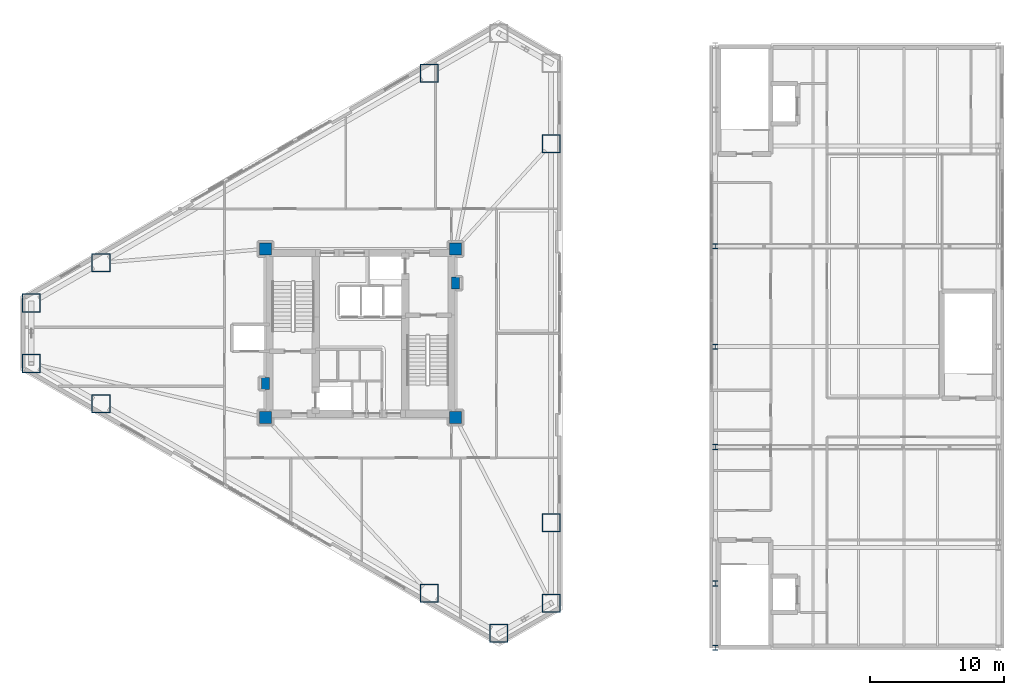
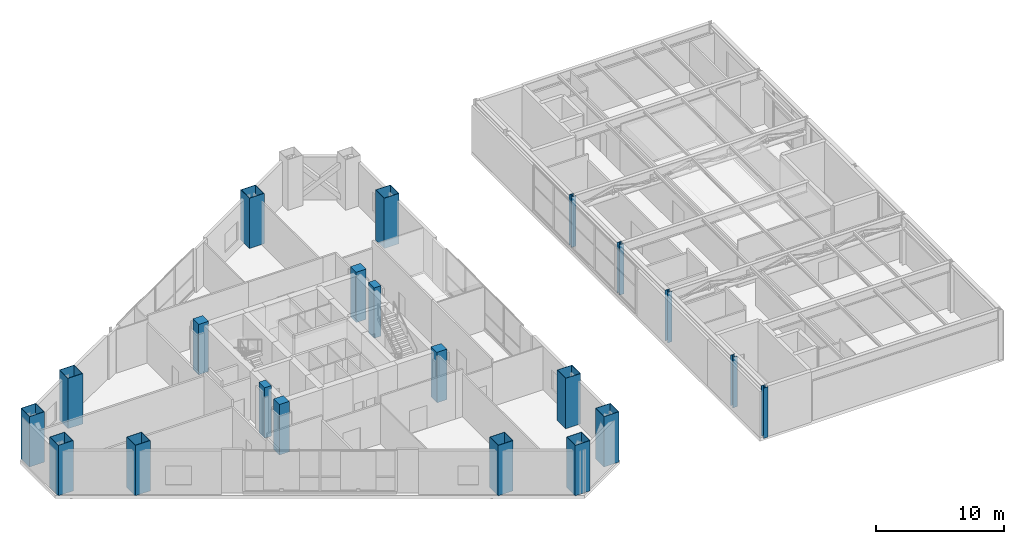
# One storey, part 1 of 27: 21 columns.
"""IFC4 building model written with IfcOpenShell, lengths in metres."""

from ifc_helpers import new_model, si_unit, direction, frame, origin, origin_2d, place, context, subcontext, project, spatial, rectangle, hollow_rectangle, i_section, extrude, material, material_profile, profile_set, type_object, element, save


model = new_model("IFC4")

# Units and contexts
model_context = context("Model", 3, precision=1e-05, world=origin(), true_north=direction((0.0, 1.0)))
body_context = subcontext(model_context, "Body", "Model", "MODEL_VIEW")
ifc_project = project(units=[si_unit("LENGTHUNIT", "METRE"), si_unit("AREAUNIT", "SQUARE_METRE"), si_unit("VOLUMEUNIT", "CUBIC_METRE"), si_unit("PLANEANGLEUNIT", "RADIAN"), si_unit("MASSUNIT", "GRAM", prefix="KILO")], contexts=[model_context])

# Site, building, storey
site_placement = place(None, origin())
site = spatial("IfcSite", under=ifc_project, at=site_placement, CompositionType="ELEMENT")
building_placement = place(site_placement, origin())
building = spatial("IfcBuilding", under=site, at=building_placement, Name="Mersakhor Tower and Convention Hall", CompositionType="ELEMENT")
storey_placement = place(building_placement, frame((0.0, 0.0, 14.39990234375)))
storey = spatial("IfcBuildingStorey", under=building, at=storey_placement, Name="L03", CompositionType="ELEMENT", Elevation=14.39990234375)

# Columns
ifc_material_1 = material(Name="Concrete C70/85 in S460M steel box", Category="concrete")
ifc_material_profile_1 = material_profile(ifc_material_1, hollow_rectangle(XDim=1.35009765625, YDim=1.35009765625, WallThickness=0.035888671875, at=origin_2d()), Name="SHS 1350x1350x36")
ifc_profile_set_1 = profile_set([ifc_material_profile_1], Name="Concrete C70/85 in S460M steel box")
column_type_1 = type_object("IfcColumnType", Name="COL-CFT-1350", PredefinedType="COLUMN", material=ifc_profile_set_1)
for number, where, z_axis, x_axis, name in (
    (1, (4.4130859375, 29.00927734375, 0.0), (0.0, 0.0, 1.0), (1.0, 0.0, 0.0), "L03 Perimeter Mega-Column MC-01"),
    (2, (9.61669921875, 32.013671875, 0.0), (0.0, 0.0, 1.0), (1.0, 0.0, 0.0), "L03 Perimeter Mega-Column MC-02"),
    (3, (34.13330078125, 46.168212890625, 0.0), (0.0, 0.0, 1.0), (1.0, 0.0, 0.0), "L03 Perimeter Mega-Column MC-03"),
    (4, (43.25, 40.904541015625, 0.0), (0.0, 0.0, 1.0), (1.0, 0.0, 0.0), "L03 Perimeter Mega-Column MC-06"),
    (5, (43.25, 12.595458984375, 0.0), (0.0, 0.0, 1.0), (1.0, 0.0, 0.0), "L03 Perimeter Mega-Column MC-07"),
    (6, (43.25, 6.586669921875, 0.0), (0.0, 0.0, 1.0), (1.0, 0.0, 0.0), "L03 Perimeter Mega-Column MC-08"),
    (7, (39.3369140625, 4.327392578125, 0.0), (0.0, 0.0, 1.0), (1.0, 0.0, 0.0), "L03 Perimeter Mega-Column MC-09"),
    (8, (34.13330078125, 7.331787109375, 0.0), (0.0, 0.0, 1.0), (1.0, 0.0, 0.0), "L03 Perimeter Mega-Column MC-10"),
    (9, (9.61669921875, 21.486328125, 0.0), (0.0, 0.0, 1.0), (1.0, 0.0, 0.0), "L03 Perimeter Mega-Column MC-11"),
    (10, (4.4130859375, 24.49072265625, 0.0), (0.0, 0.0, 1.0), (1.0, 0.0, 0.0), "L03 Perimeter Mega-Column MC-12"),
):
    element("IfcColumn", number, at=place(storey_placement, frame(where, z_axis=z_axis, x_axis=x_axis)), inside=storey, type_object=column_type_1, Name=name, PredefinedType="COLUMN", context=body_context, shape_type="SweptSolid", body=[
        extrude(hollow_rectangle(XDim=1.35009765625, YDim=1.35009765625, WallThickness=0.035888671875, at=origin_2d()), origin(), (0.0, 0.0, 1.0), 4.800048828125),
    ])
ifc_material_2 = material(Name="Concrete C60/75", Category="concrete")
ifc_material_profile_2 = material_profile(ifc_material_2, rectangle(XDim=0.89990234375, YDim=0.89990234375, at=origin_2d()), Name="RC 900x900")
ifc_profile_set_2 = profile_set([ifc_material_profile_2], Name="Concrete C60/75")
column_type_2 = type_object("IfcColumnType", Name="COL-RC-900", PredefinedType="COLUMN", material=ifc_profile_set_2)
for number, where, z_axis, x_axis, name in (
    (11, (21.89990234375, 20.449951171875, 0.0), (0.0, 0.0, 1.0), (1.0, 0.0, 0.0), "L03 Core Corner Column CC-1"),
    (12, (21.89990234375, 33.050048828125, 0.0), (0.0, 0.0, 1.0), (1.0, 0.0, 0.0), "L03 Core Corner Column CC-2"),
    (13, (36.10009765625, 33.050048828125, 0.0), (0.0, 0.0, 1.0), (1.0, 0.0, 0.0), "L03 Core Corner Column CC-3"),
    (14, (36.10009765625, 20.449951171875, 0.0), (0.0, 0.0, 1.0), (1.0, 0.0, 0.0), "L03 Core Corner Column CC-4"),
):
    element("IfcColumn", number, at=place(storey_placement, frame(where, z_axis=z_axis, x_axis=x_axis)), inside=storey, type_object=column_type_2, Name=name, PredefinedType="COLUMN", context=body_context, shape_type="SweptSolid", body=[
        extrude(rectangle(XDim=0.89990234375, YDim=0.89990234375, at=origin_2d()), origin(), (0.0, 0.0, 1.0), 4.800048828125),
    ])
ifc_material_3 = material(Name="Steel S355", Category="steel")
ifc_material_profile_3 = material_profile(ifc_material_3, i_section(OverallWidth=0.39892578125, OverallDepth=0.3935546875, WebThickness=0.022705078125, FlangeThickness=0.03662109375, at=origin_2d()), Name="UC 356x406x287")
ifc_profile_set_3 = profile_set([ifc_material_profile_3], Name="Steel S355")
column_type_3 = type_object("IfcColumnType", Name="COL-STL-UC356", PredefinedType="COLUMN", material=ifc_profile_set_3)
for number, where, z_axis, x_axis, name in (
    (15, (55.5, 3.25, 0.0), (0.0, 0.0, 1.0), (1.0, 0.0, 0.0), "Convention L03 Perimeter Column SC-W1"),
    (16, (55.5, 8.050048828125, 0.0), (0.0, 0.0, 1.0), (1.0, 0.0, 0.0), "Convention L03 Perimeter Column SC-W2"),
    (17, (55.5, 18.25, 0.0), (0.0, 0.0, 1.0), (1.0, 0.0, 0.0), "Convention L03 Perimeter Column SC-W3"),
    (18, (55.5, 25.75, 0.0), (0.0, 0.0, 1.0), (1.0, 0.0, 0.0), "Convention L03 Perimeter Column SC-W4"),
    (19, (55.5, 33.25, 0.0), (0.0, 0.0, 1.0), (1.0, 0.0, 0.0), "Convention L03 Perimeter Column SC-W5"),
):
    element("IfcColumn", number, at=place(storey_placement, frame(where, z_axis=z_axis, x_axis=x_axis)), inside=storey, type_object=column_type_3, Name=name, PredefinedType="COLUMN", context=body_context, shape_type="SweptSolid", body=[
        extrude(i_section(OverallWidth=0.39892578125, OverallDepth=0.3935546875, WebThickness=0.022705078125, FlangeThickness=0.03662109375, at=origin_2d()), origin(), (0.0, 0.0, 1.0), 4.800048828125),
    ])
ifc_material_4 = material(Name="Concrete C50/60", Category="concrete")
ifc_material_profile_4 = material_profile(ifc_material_4, rectangle(XDim=0.60009765625, YDim=0.89990234375, at=origin_2d()), Name="RC 600x900")
ifc_profile_set_4 = profile_set([ifc_material_profile_4], Name="Concrete C50/60")
column_type_4 = type_object("IfcColumnType", Name="PIL-RC-600x900", PredefinedType="PILASTER", material=ifc_profile_set_4)
for number, where, z_axis, x_axis, name in (
    (20, (21.89990234375, 23.0, 0.0), (0.0, 0.0, 1.0), (1.0, 0.0, 0.0), "L03 Core Wall Pilaster CP-1"),
    (21, (36.10009765625, 30.5, 0.0), (0.0, 0.0, 1.0), (1.0, 0.0, 0.0), "L03 Core Wall Pilaster CP-2"),
):
    element("IfcColumn", number, at=place(storey_placement, frame(where, z_axis=z_axis, x_axis=x_axis)), inside=storey, type_object=column_type_4, Name=name, PredefinedType="PILASTER", context=body_context, shape_type="SweptSolid", body=[
        extrude(rectangle(XDim=0.60009765625, YDim=0.89990234375, at=origin_2d()), origin(), (0.0, 0.0, 1.0), 4.800048828125),
    ])

save(model, "model.ifc")
